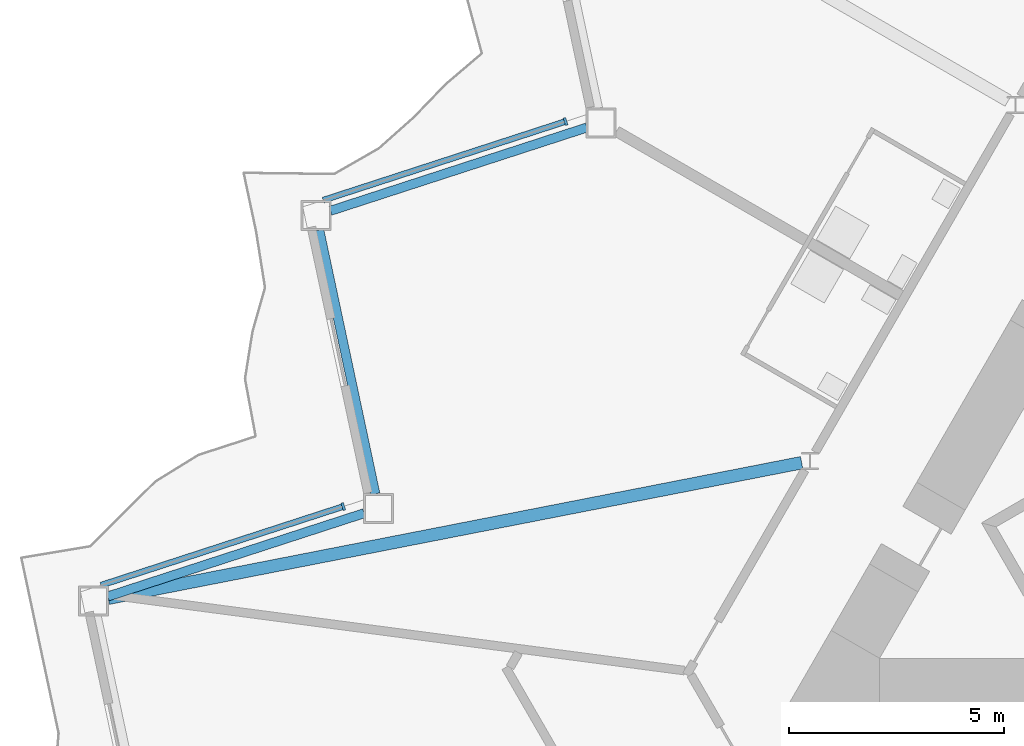
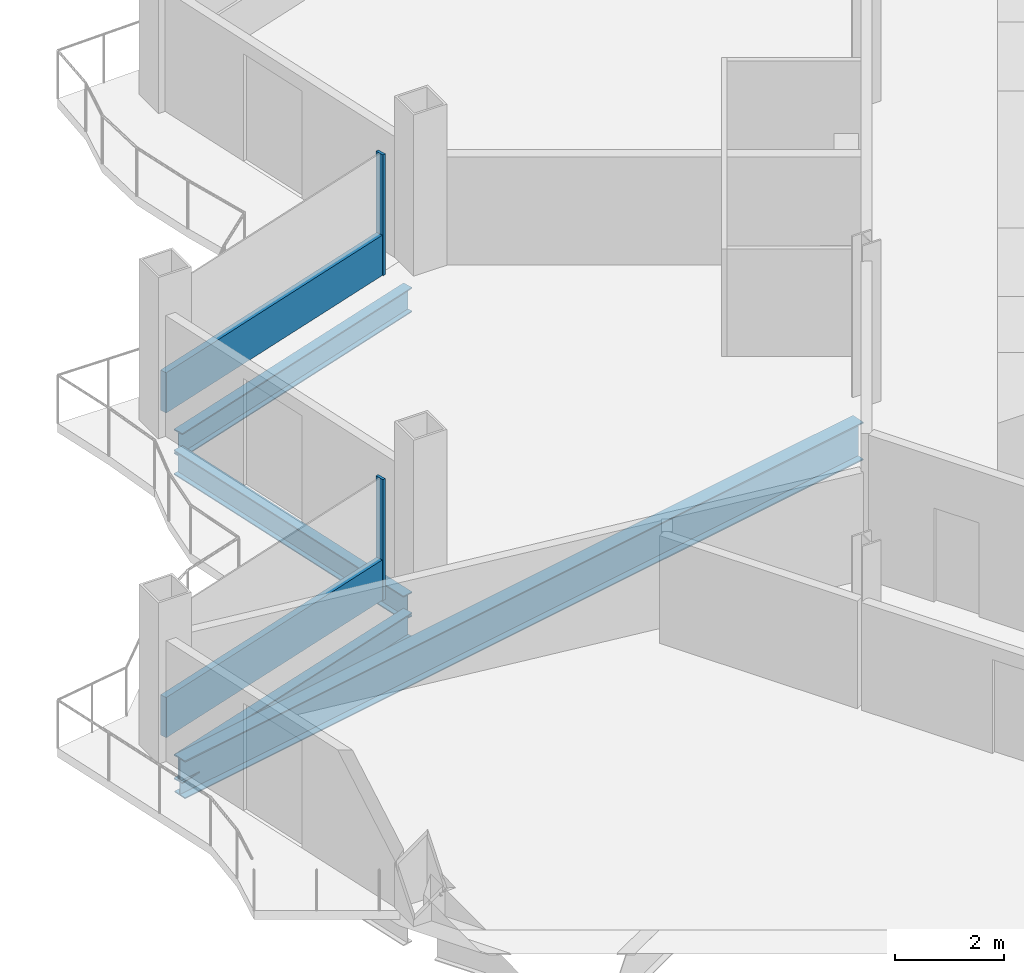
# One storey, part 5 of 23: 4 beams, 4 members, 2 elements without a shape of their own.
"""IFC4 building model written with IfcOpenShell, lengths in metres."""

from ifc_helpers import new_model, si_unit, direction, frame, origin, origin_2d, place, context, subcontext, project, spatial, rectangle, i_section, extrude, material, layer, layer_set, material_profile, profile_set, type_object, element, aggregate, save


model = new_model("IFC4")

# Units and contexts
model_context = context("Model", 3, precision=1e-05, world=origin(), true_north=direction((0.0, 1.0)))
body_context = subcontext(model_context, "Body", "Model", "MODEL_VIEW")
ifc_project = project(units=[si_unit("LENGTHUNIT", "METRE"), si_unit("AREAUNIT", "SQUARE_METRE"), si_unit("VOLUMEUNIT", "CUBIC_METRE"), si_unit("PLANEANGLEUNIT", "RADIAN"), si_unit("MASSUNIT", "GRAM", prefix="KILO")], contexts=[model_context])

# Site, building, storey
site_placement = place(None, origin())
site = spatial("IfcSite", under=ifc_project, at=site_placement, CompositionType="ELEMENT")
building_placement = place(site_placement, origin())
building = spatial("IfcBuilding", under=site, at=building_placement, Name="Cormorant Prow Tower", CompositionType="ELEMENT")
storey_placement = place(building_placement, frame((0.0, 0.0, 252.60009765625)))
storey = spatial("IfcBuildingStorey", under=building, at=storey_placement, Name="L56", CompositionType="ELEMENT", Elevation=252.60009765625)

# Curtain wall, member
ifc_material_1 = material(Name="Aluminium 6063-T6", Category="aluminium")
ifc_layer = layer(ifc_material_1, 0.179931640625)
ifc_layer_set = layer_set([ifc_layer], Name="Aluminium 6063-T6")
curtain_wall_type = type_object("IfcCurtainWallType", Name="Hotel unitised curtain wall 180", PredefinedType="NOTDEFINED", material=ifc_layer_set)
curtain_wall_1_placement = place(storey_placement, origin())
curtain_wall_1 = element("IfcCurtainWall", 1, at=curtain_wall_1_placement, inside=storey, type_object=curtain_wall_type, Name="Hotel curtain wall WNW06", PredefinedType="NOTDEFINED")
ifc_material_2 = material(Name="Aluminium 6063-T6", Category="aluminium")
ifc_material_profile_1 = material_profile(ifc_material_2, rectangle(XDim=0.179931640625, YDim=0.06005859375, at=origin_2d()), Name="Hotel mullion 60x180")
ifc_profile_set_1 = profile_set([ifc_material_profile_1], Name="Aluminium 6063-T6")
member_type_1 = type_object("IfcMemberType", Name="Hotel mullion 60x180", PredefinedType="MULLION", material=ifc_profile_set_1)
member_1_placement = place(storey_placement, frame((-20.063232421875, 5.14697265625, 0.0), z_axis=(0.0, 0.0, 1.0), x_axis=(0.309016939349, -0.951056534174, 0.0)))
member_1 = element("IfcMember", 2, at=member_1_placement, type_object=member_type_1, Name="Hotel mullion WNW06", PredefinedType="MULLION", context=body_context, shape_type="SweptSolid", body=[
    extrude(rectangle(XDim=0.179931640625, YDim=0.06005859375, at=origin_2d()), origin(), (0.0, 0.0, 1.0), 2.70068359375),
])

curtain_wall_2_placement = place(storey_placement, origin())
curtain_wall_2 = element("IfcCurtainWall", 3, at=curtain_wall_2_placement, inside=storey, type_object=curtain_wall_type, Name="Hotel curtain wall WNW08", PredefinedType="NOTDEFINED")
member_2_placement = place(storey_placement, frame((-25.24267578125, -3.823974609375, 0.0), z_axis=(0.0, 0.0, 1.0), x_axis=(0.309016939349, -0.951056534174, 0.0)))
member_2 = element("IfcMember", 4, at=member_2_placement, type_object=member_type_1, Name="Hotel mullion WNW08", PredefinedType="MULLION", context=body_context, shape_type="SweptSolid", body=[
    extrude(rectangle(XDim=0.179931640625, YDim=0.06005859375, at=origin_2d()), origin(), (0.0, 0.0, 1.0), 2.70068359375),
])

# Member
ifc_material_3 = material(Name="Terracotta", Category="masonry")
ifc_material_profile_2 = material_profile(ifc_material_3, rectangle(XDim=0.139892578125, YDim=0.89990234375, at=origin_2d()), Name="Hotel terracotta spandrel rail 140x900")
ifc_profile_set_2 = profile_set([ifc_material_profile_2], Name="Terracotta")
member_type_2 = type_object("IfcMemberType", Name="Hotel terracotta spandrel rail 140x900", PredefinedType="USERDEFINED", material=ifc_profile_set_2)
member_3_placement = place(storey_placement, frame((-20.091796875, 5.1376953125, 0.449951171875), z_axis=(-0.951065040559, -0.308990758158, 0.0), x_axis=(0.308990758158, -0.951065040559, 0.0)))
member_3 = element("IfcMember", 5, at=member_3_placement, type_object=member_type_2, Name="Hotel spandrel rail WNW06", ObjectType="TRANSOM", PredefinedType="USERDEFINED", context=body_context, shape_type="SweptSolid", body=[
    extrude(rectangle(XDim=0.139892578125, YDim=0.89990234375, at=origin_2d()), origin(), (0.0, 0.0, 1.0), 5.90771484375),
])

aggregate(curtain_wall_1, [member_1, member_3])

member_4_placement = place(storey_placement, frame((-25.271240234375, -3.833251953125, 0.449951171875), z_axis=(-0.951052895642, -0.309028137378, 0.0), x_axis=(0.309028137378, -0.951052895642, 0.0)))
member_4 = element("IfcMember", 6, at=member_4_placement, type_object=member_type_2, Name="Hotel spandrel rail WNW08", ObjectType="TRANSOM", PredefinedType="USERDEFINED", context=body_context, shape_type="SweptSolid", body=[
    extrude(rectangle(XDim=0.139892578125, YDim=0.89990234375, at=origin_2d()), origin(), (0.0, 0.0, 1.0), 5.90771484375),
])

aggregate(curtain_wall_2, [member_2, member_4])

# Beams
ifc_material_4 = material(Name="Structural steel ASTM A992 Gr 50", Category="steel")
ifc_material_profile_3 = material_profile(ifc_material_4, i_section(OverallWidth=0.29296875, OverallDepth=0.845703125, WebThickness=0.015380859375, FlangeThickness=0.0244140625, at=origin_2d()), Name="W33x141")
ifc_profile_set_3 = profile_set([ifc_material_profile_3], Name="Structural steel ASTM A992 Gr 50")
beam_type_1 = type_object("IfcBeamType", Name="Radial floor beam W33x141", PredefinedType="BEAM", material=ifc_profile_set_3)
beam_placement = place(storey_placement, frame((-14.5634765625, -2.80322265625, -0.77294921875), z_axis=(-0.981419133752, -0.191876220269, 0.0), x_axis=(0.191876220269, -0.981419133752, 0.0)))
element("IfcBeam", 7, at=beam_placement, inside=storey, type_object=beam_type_1, Name="Radial floor beam FB2 4 L56", PredefinedType="BEAM", context=body_context, shape_type="SweptSolid", body=[
    extrude(i_section(OverallWidth=0.29296875, OverallDepth=0.845703125, WebThickness=0.015380859375, FlangeThickness=0.0244140625, at=origin_2d()), origin(), (0.0, 0.0, 1.0), 16.462158203125),
])
ifc_material_5 = material(Name="Structural steel ASTM A992 Gr 50", Category="steel")
ifc_material_profile_4 = material_profile(ifc_material_5, i_section(OverallWidth=0.2138671875, OverallDepth=0.549072265625, WebThickness=0.0146484375, FlangeThickness=0.023681640625, at=origin_2d()), Name="W21x93")
ifc_profile_set_4 = profile_set([ifc_material_profile_4], Name="Structural steel ASTM A992 Gr 50")
beam_type_2 = type_object("IfcBeamType", Name="Spandrel beam W21x93", PredefinedType="SPANDREL", material=ifc_profile_set_4)
for number, where, z_axis, x_axis, name in (
    (8, (-19.568115234375, 5.00634765625, -0.624755859375), (-0.951061771288, -0.309000820701, 0.0), (0.309000820701, -0.951061771288, 0.0), "Spandrel beam SB2 WNW06-WNW07 L56"),
    (9, (-25.80224609375, 2.61474609375, -0.624755859375), (0.207941499013, -0.978141264331, 0.0), (0.978141264331, 0.207941499013, 0.0), "Spandrel beam SB2 WNW07-WNW08 L56"),
    (10, (-24.75634765625, -3.97998046875, -0.624755859375), (-0.951061771288, -0.309000820701, 0.0), (0.309000820701, -0.951061771288, 0.0), "Spandrel beam SB2 WNW08-WNW09 L56"),
):
    element("IfcBeam", number, at=place(storey_placement, frame(where, z_axis=z_axis, x_axis=x_axis)), inside=storey, type_object=beam_type_2, Name=name, PredefinedType="SPANDREL", context=body_context, shape_type="SweptSolid", body=[
        extrude(i_section(OverallWidth=0.2138671875, OverallDepth=0.549072265625, WebThickness=0.0146484375, FlangeThickness=0.023681640625, at=origin_2d()), origin(), (0.0, 0.0, 1.0), 6.28125),
    ])

save(model, "model.ifc")
